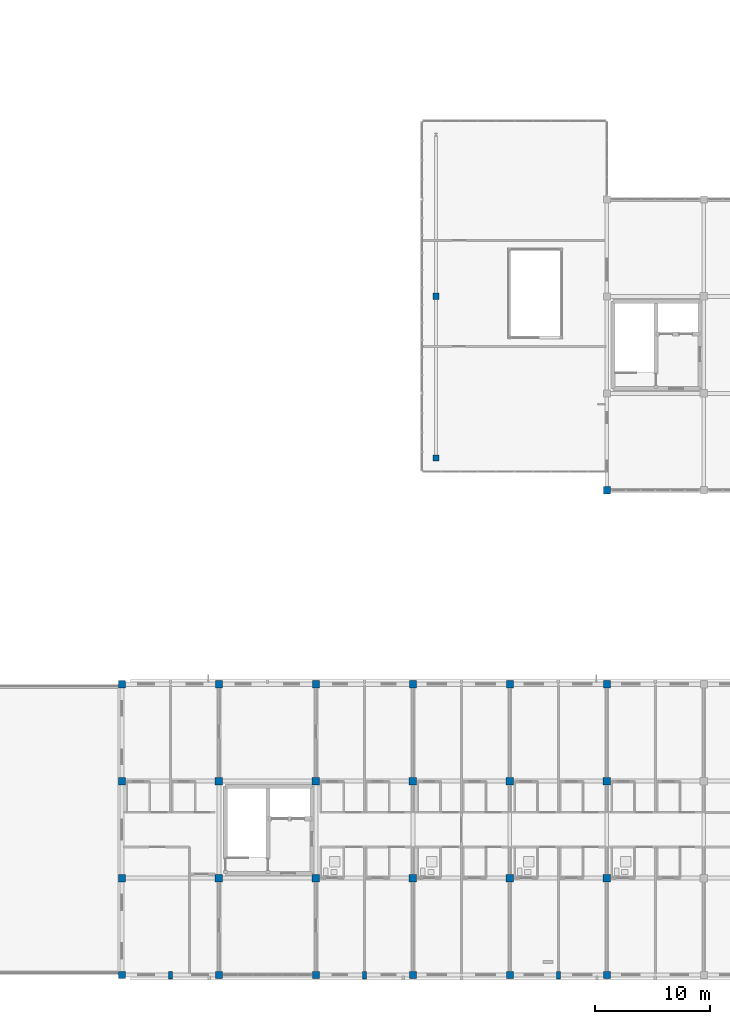
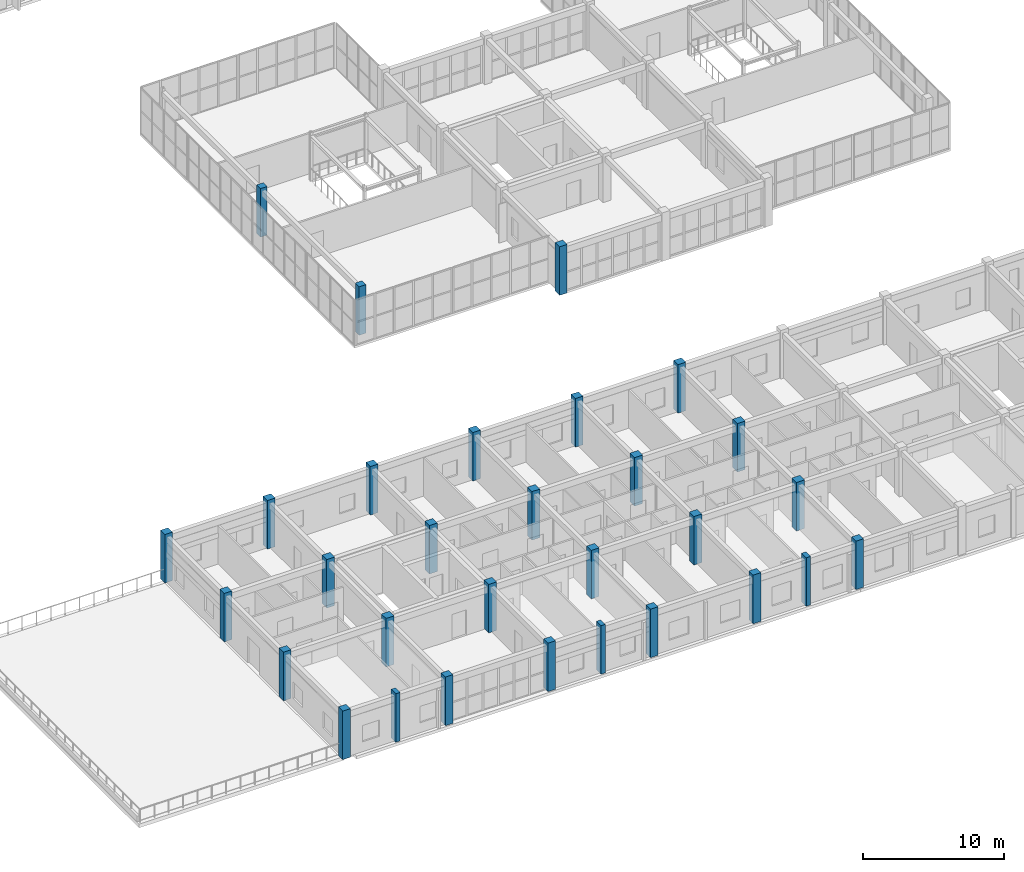
# One storey, part 1 of 81: 30 columns.
"""IFC4 building model written with IfcOpenShell, lengths in metres."""

from ifc_helpers import new_model, si_unit, direction, frame, origin, origin_2d, place, context, subcontext, project, spatial, rectangle, extrude, material, material_profile, profile_set, type_object, element, save


model = new_model("IFC4")

# Units and contexts
model_context = context("Model", 3, precision=1e-05, world=origin(), true_north=direction((0.0, 1.0)))
body_context = subcontext(model_context, "Body", "Model", "MODEL_VIEW")
ifc_project = project(units=[si_unit("LENGTHUNIT", "METRE"), si_unit("AREAUNIT", "SQUARE_METRE"), si_unit("VOLUMEUNIT", "CUBIC_METRE"), si_unit("PLANEANGLEUNIT", "RADIAN"), si_unit("MASSUNIT", "GRAM", prefix="KILO")], contexts=[model_context])

# Site, building, storey
site_placement = place(None, origin())
site = spatial("IfcSite", under=ifc_project, at=site_placement, CompositionType="ELEMENT")
building_placement = place(site_placement, origin())
building = spatial("IfcBuilding", under=site, at=building_placement, Name="Trelvath General Hospital", CompositionType="ELEMENT")
storey_placement = place(building_placement, frame((0.0, 0.0, 24.60009765625)))
storey = spatial("IfcBuildingStorey", under=building, at=storey_placement, Name="L06", CompositionType="ELEMENT", Elevation=24.60009765625)

# Columns
ifc_material_1 = material(Name="Concrete C40/50", Category="concrete")
ifc_material_profile_1 = material_profile(ifc_material_1, rectangle(XDim=0.550048828125, YDim=0.550048828125, at=origin_2d()), Name="RC550x550")
ifc_profile_set_1 = profile_set([ifc_material_profile_1], Name="Concrete C40/50")
column_type_1 = type_object("IfcColumnType", Name="Column RC550", PredefinedType="COLUMN", material=ifc_profile_set_1)
for number, where, z_axis, x_axis, name in (
    (1, (60.800048828125, 44.800048828125, 0.0), (0.0, 0.0, 1.0), (1.0, 0.0, 0.0), "Cube Interior Column CC-W04 L06"),
    (2, (60.800048828125, 58.800048828125, 0.0), (0.0, 0.0, 1.0), (1.0, 0.0, 0.0), "Cube Interior Column CC-W05 L06"),
):
    element("IfcColumn", number, at=place(storey_placement, frame(where, z_axis=z_axis, x_axis=x_axis)), inside=storey, type_object=column_type_1, Name=name, PredefinedType="COLUMN", context=body_context, shape_type="SweptSolid", body=[
        extrude(rectangle(XDim=0.550048828125, YDim=0.550048828125, at=origin_2d()), origin(), (0.0, 0.0, 1.0), 4.199951171875),
    ])
ifc_material_2 = material(Name="Concrete C40/50", Category="concrete")
ifc_material_profile_2 = material_profile(ifc_material_2, rectangle(XDim=0.6201171875, YDim=0.6201171875, at=origin_2d()), Name="RC620x620")
ifc_profile_set_2 = profile_set([ifc_material_profile_2], Name="Concrete C40/50")
column_type_2 = type_object("IfcColumnType", Name="Column RC620", PredefinedType="COLUMN", material=ifc_profile_set_2)
for number, where, z_axis, x_axis, name in (
    (3, (33.60009765625, 0.0, 0.0), (0.0, 0.0, 1.0), (1.0, 0.0, 0.0), "Column C-5A L06"),
    (4, (33.60009765625, 8.39990234375, 0.0), (0.0, 0.0, 1.0), (1.0, 0.0, 0.0), "Column C-5B L06"),
    (5, (33.60009765625, 16.800048828125, 0.0), (0.0, 0.0, 1.0), (1.0, 0.0, 0.0), "Column C-5C L06"),
    (6, (33.60009765625, 25.199951171875, 0.0), (0.0, 0.0, 1.0), (1.0, 0.0, 0.0), "Column C-5D L06"),
    (7, (42.0, 0.0, 0.0), (0.0, 0.0, 1.0), (1.0, 0.0, 0.0), "Column C-6A L06"),
    (8, (42.0, 25.199951171875, 0.0), (0.0, 0.0, 1.0), (1.0, 0.0, 0.0), "Column C-6D L06"),
    (9, (50.39990234375, 0.0, 0.0), (0.0, 0.0, 1.0), (1.0, 0.0, 0.0), "Column C-7A L06"),
    (10, (50.39990234375, 25.199951171875, 0.0), (0.0, 0.0, 1.0), (1.0, 0.0, 0.0), "Column C-7D L06"),
    (11, (58.800048828125, 0.0, 0.0), (0.0, 0.0, 1.0), (1.0, 0.0, 0.0), "Column C-8A L06"),
    (12, (58.800048828125, 25.199951171875, 0.0), (0.0, 0.0, 1.0), (1.0, 0.0, 0.0), "Column C-8D L06"),
    (13, (67.199951171875, 0.0, 0.0), (0.0, 0.0, 1.0), (1.0, 0.0, 0.0), "Column C-9A L06"),
    (14, (67.199951171875, 25.199951171875, 0.0), (0.0, 0.0, 1.0), (1.0, 0.0, 0.0), "Column C-9D L06"),
    (15, (75.60009765625, 0.0, 0.0), (0.0, 0.0, 1.0), (1.0, 0.0, 0.0), "Column C-10A L06"),
    (16, (75.60009765625, 25.199951171875, 0.0), (0.0, 0.0, 1.0), (1.0, 0.0, 0.0), "Column C-10D L06"),
    (17, (75.60009765625, 42.0, 0.0), (0.0, 0.0, 1.0), (1.0, 0.0, 0.0), "Column C-10F L06"),
):
    element("IfcColumn", number, at=place(storey_placement, frame(where, z_axis=z_axis, x_axis=x_axis)), inside=storey, type_object=column_type_2, Name=name, PredefinedType="COLUMN", context=body_context, shape_type="SweptSolid", body=[
        extrude(rectangle(XDim=0.6201171875, YDim=0.6201171875, at=origin_2d()), origin(), (0.0, 0.0, 1.0), 4.199951171875),
    ])
ifc_material_3 = material(Name="Concrete C40/50", Category="concrete")
ifc_material_profile_3 = material_profile(ifc_material_3, rectangle(XDim=0.64990234375, YDim=0.64990234375, at=origin_2d()), Name="RC650x650")
ifc_profile_set_3 = profile_set([ifc_material_profile_3], Name="Concrete C40/50")
column_type_3 = type_object("IfcColumnType", Name="Column RC650", PredefinedType="COLUMN", material=ifc_profile_set_3)
for number, where, z_axis, x_axis, name in (
    (18, (42.0, 8.39990234375, 0.0), (0.0, 0.0, 1.0), (1.0, 0.0, 0.0), "Column C-6B L06"),
    (19, (42.0, 16.800048828125, 0.0), (0.0, 0.0, 1.0), (1.0, 0.0, 0.0), "Column C-6C L06"),
    (20, (50.39990234375, 8.39990234375, 0.0), (0.0, 0.0, 1.0), (1.0, 0.0, 0.0), "Column C-7B L06"),
    (21, (50.39990234375, 16.800048828125, 0.0), (0.0, 0.0, 1.0), (1.0, 0.0, 0.0), "Column C-7C L06"),
    (22, (58.800048828125, 8.39990234375, 0.0), (0.0, 0.0, 1.0), (1.0, 0.0, 0.0), "Column C-8B L06"),
    (23, (58.800048828125, 16.800048828125, 0.0), (0.0, 0.0, 1.0), (1.0, 0.0, 0.0), "Column C-8C L06"),
    (24, (67.199951171875, 8.39990234375, 0.0), (0.0, 0.0, 1.0), (1.0, 0.0, 0.0), "Column C-9B L06"),
    (25, (67.199951171875, 16.800048828125, 0.0), (0.0, 0.0, 1.0), (1.0, 0.0, 0.0), "Column C-9C L06"),
    (26, (75.60009765625, 8.39990234375, 0.0), (0.0, 0.0, 1.0), (1.0, 0.0, 0.0), "Column C-10B L06"),
    (27, (75.60009765625, 16.800048828125, 0.0), (0.0, 0.0, 1.0), (1.0, 0.0, 0.0), "Column C-10C L06"),
):
    element("IfcColumn", number, at=place(storey_placement, frame(where, z_axis=z_axis, x_axis=x_axis)), inside=storey, type_object=column_type_3, Name=name, PredefinedType="COLUMN", context=body_context, shape_type="SweptSolid", body=[
        extrude(rectangle(XDim=0.64990234375, YDim=0.64990234375, at=origin_2d()), origin(), (0.0, 0.0, 1.0), 4.199951171875),
    ])
ifc_material_4 = material(Name="Concrete C40/50", Category="concrete")
ifc_material_profile_4 = material_profile(ifc_material_4, rectangle(XDim=0.35009765625, YDim=0.64990234375, at=origin_2d()), Name="RC350x650")
ifc_profile_set_4 = profile_set([ifc_material_profile_4], Name="Concrete C40/50")
column_type_4 = type_object("IfcColumnType", Name="Pilaster RC350x650", PredefinedType="PILASTER", material=ifc_profile_set_4)
for number, where, z_axis, x_axis, name in (
    (28, (37.800048828125, 0.0, 0.0), (0.0, 0.0, 1.0), (1.0, 0.0, 0.0), "Facade Pilaster PL-S04 L06"),
    (29, (54.60009765625, 0.0, 0.0), (0.0, 0.0, 1.0), (1.0, 0.0, 0.0), "Facade Pilaster PL-S06 L06"),
    (30, (71.39990234375, 0.0, 0.0), (0.0, 0.0, 1.0), (1.0, 0.0, 0.0), "Facade Pilaster PL-S08 L06"),
):
    element("IfcColumn", number, at=place(storey_placement, frame(where, z_axis=z_axis, x_axis=x_axis)), inside=storey, type_object=column_type_4, Name=name, PredefinedType="PILASTER", context=body_context, shape_type="SweptSolid", body=[
        extrude(rectangle(XDim=0.35009765625, YDim=0.64990234375, at=origin_2d()), origin(), (0.0, 0.0, 1.0), 4.199951171875),
    ])

save(model, "model.ifc")
